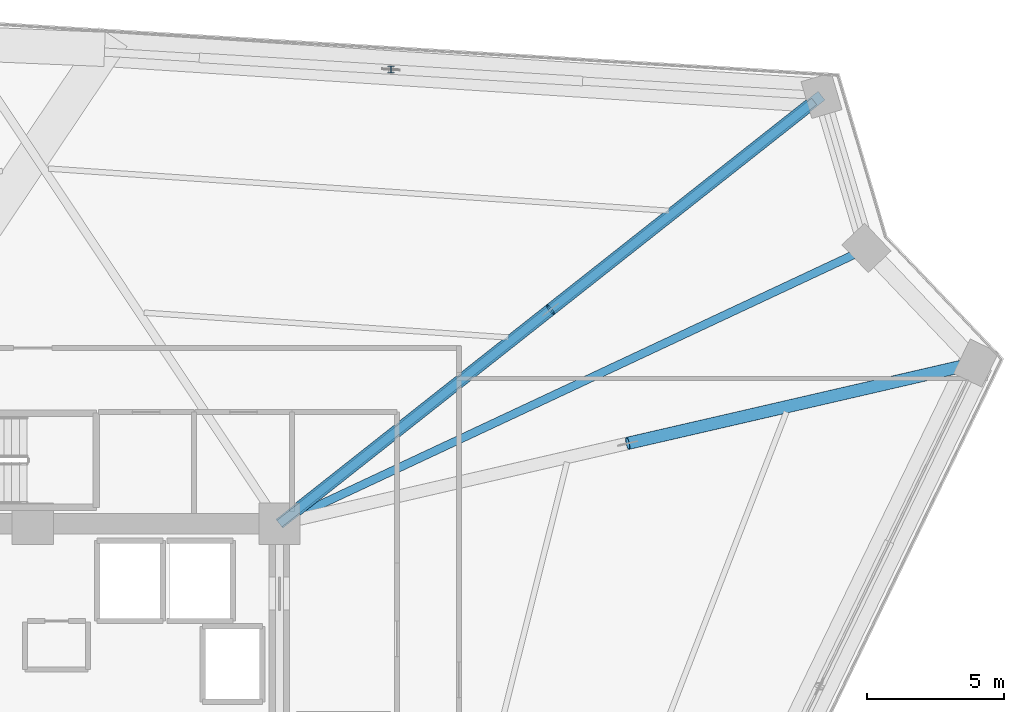
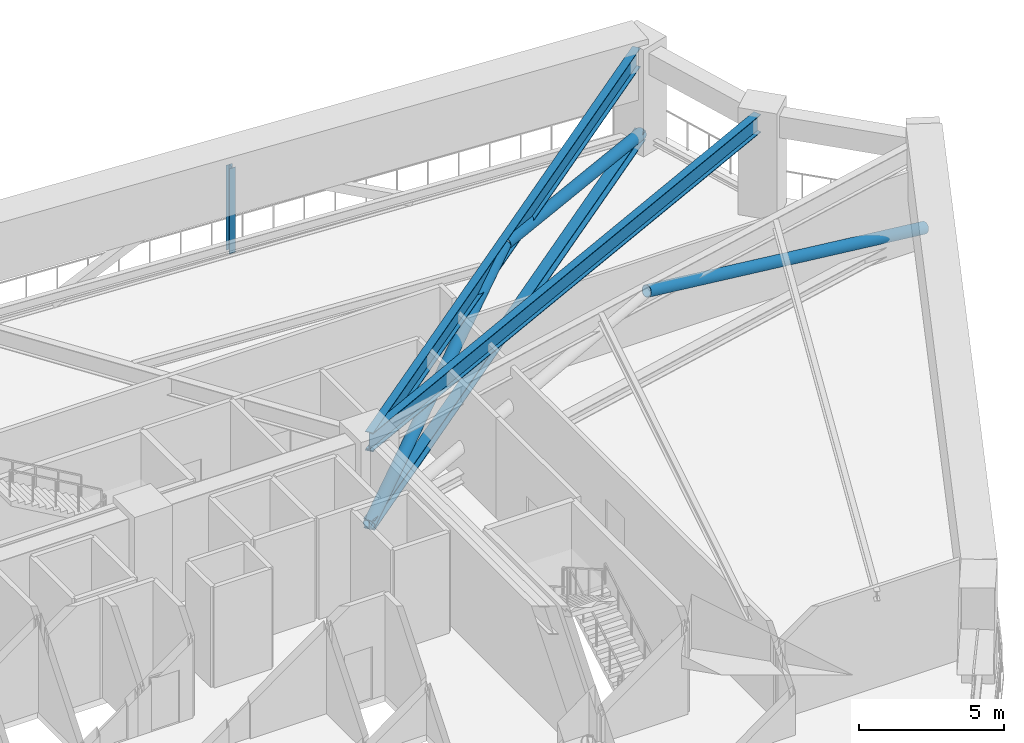
# One storey, part 11 of 27: 5 members, 2 beams.
"""IFC4 building model written with IfcOpenShell, lengths in metres."""

from ifc_helpers import new_model, si_unit, direction, frame, origin, origin_2d, place, context, subcontext, project, spatial, hollow_circle, i_section, extrude, source, transform, mapped, material, material_profile, profile_set, type_object, element, save


model = new_model("IFC4")

# Units and contexts
model_context = context("Model", 3, precision=1e-05, world=origin(), true_north=direction((0.0, 1.0)))
body_context = subcontext(model_context, "Body", "Model", "MODEL_VIEW")
ifc_project = project(units=[si_unit("LENGTHUNIT", "METRE"), si_unit("AREAUNIT", "SQUARE_METRE"), si_unit("VOLUMEUNIT", "CUBIC_METRE"), si_unit("PLANEANGLEUNIT", "RADIAN"), si_unit("MASSUNIT", "GRAM", prefix="KILO")], contexts=[model_context])

# Site, building, storey
site_placement = place(None, origin())
site = spatial("IfcSite", under=ifc_project, at=site_placement, CompositionType="ELEMENT")
building_placement = place(site_placement, origin())
building = spatial("IfcBuilding", under=site, at=building_placement, Name="Liaohun Quay Tower", CompositionType="ELEMENT")
storey_placement = place(building_placement, frame((0.0, 0.0, 185.25)))
storey = spatial("IfcBuildingStorey", under=building, at=storey_placement, Name="L48", CompositionType="ELEMENT", Elevation=185.25)

# Member
ifc_material_1 = material(Name="Steel Q355D", Category="steel")
ifc_material_profile_1 = material_profile(ifc_material_1, i_section(OverallWidth=0.25, OverallDepth=0.25, WebThickness=0.009033203125, FlangeThickness=0.013916015625, at=origin_2d()), Name="HW250x250x9x14")
ifc_profile_set_1 = profile_set([ifc_material_profile_1], Name="Steel Q355D")
member_type_1 = type_object("IfcMemberType", Name="MEM-BLT-PST", PredefinedType="POST", material=ifc_profile_set_1)
shared_shape_1 = source(origin(), body_context, "Body", "SweptSolid", [
    extrude(i_section(OverallWidth=0.25, OverallDepth=0.25, WebThickness=0.009033203125, FlangeThickness=0.013916015625, at=origin_2d()), origin(), (0.0, 0.0, 1.0), 3.56982421875),
])
member_1_placement = place(storey_placement, frame((73.072021484375, 78.077880859375, 0.35009765625), z_axis=(0.0, 0.0, 1.0), x_axis=(1.0, 0.0, 0.0)))
element("IfcMember", 1, at=member_1_placement, inside=storey, type_object=member_type_1, Name="L48 Belt Truss Vertical Post BP-1-04", PredefinedType="POST", context=body_context, shape_type="MappedRepresentation", body=[
    mapped(shared_shape_1, transform((0.0, 0.0, 0.0), x_axis=(1.0, 0.0, 0.0), y_axis=(0.0, 1.0, 0.0), z_axis=(0.0, 0.0, 1.0), scale=1.0)),
])

# Beams
ifc_material_profile_2 = material_profile(ifc_material_1, i_section(OverallWidth=0.300048828125, OverallDepth=0.75, WebThickness=0.013916015625, FlangeThickness=0.02587890625, at=origin_2d()), Name="HN750x300x14x26")
ifc_profile_set_2 = profile_set([ifc_material_profile_2], Name="Steel Q355D")
beam_type_1 = type_object("IfcBeamType", Name="BM-RAD-M2", PredefinedType="BEAM", material=ifc_profile_set_2)
shared_shape_2 = source(origin(), body_context, "Body", "SweptSolid", [
    extrude(i_section(OverallWidth=0.300048828125, OverallDepth=0.75, WebThickness=0.013916015625, FlangeThickness=0.02587890625, at=origin_2d()), origin(), (0.0, 0.0, 1.0), 23.347412109375),
])
beam_1_placement = place(storey_placement, frame((69.0, 61.5, 3.844970703125), z_axis=(0.905586236327, 0.424162196071, 0.0), x_axis=(-0.424162196071, 0.905586236327, 0.0)))
element("IfcBeam", 2, at=beam_1_placement, inside=storey, type_object=beam_type_1, Name="L48 Radial Primary Girder CC4-PC08", PredefinedType="BEAM", context=body_context, shape_type="MappedRepresentation", body=[
    mapped(shared_shape_2, transform((0.0, 0.0, 0.0), x_axis=(1.0, 0.0, 0.0), y_axis=(0.0, 1.0, 0.0), z_axis=(0.0, 0.0, 1.0), scale=1.0)),
])
ifc_material_profile_3 = material_profile(ifc_material_1, i_section(OverallWidth=0.300048828125, OverallDepth=0.800048828125, WebThickness=0.013916015625, FlangeThickness=0.02587890625, at=origin_2d()), Name="HN800x300x14x26")
ifc_profile_set_3 = profile_set([ifc_material_profile_3], Name="Steel Q355D")
beam_type_2 = type_object("IfcBeamType", Name="BM-RAD-M1", PredefinedType="BEAM", material=ifc_profile_set_3)
shared_shape_3 = source(origin(), body_context, "Body", "SweptSolid", [
    extrude(i_section(OverallWidth=0.300048828125, OverallDepth=0.800048828125, WebThickness=0.013916015625, FlangeThickness=0.02587890625, at=origin_2d()), origin(), (0.0, 0.0, 1.0), 24.870849609375),
])
beam_2_placement = place(storey_placement, frame((69.0, 61.5, 3.820068359375), z_axis=(0.784817933062, 0.619726400877, 0.0), x_axis=(-0.619726400877, 0.784817933062, 0.0)))
element("IfcBeam", 3, at=beam_2_placement, inside=storey, type_object=beam_type_2, Name="L48 Radial Primary Girder CC4-PC07", PredefinedType="BEAM", context=body_context, shape_type="MappedRepresentation", body=[
    mapped(shared_shape_3, transform((0.0, 0.0, 0.0), x_axis=(1.0, 0.0, 0.0), y_axis=(0.0, 1.0, 0.0), z_axis=(0.0, 0.0, 1.0), scale=1.0)),
])

# Members
ifc_material_2 = material(Name="Steel Q420D", Category="steel")
ifc_material_profile_4 = material_profile(ifc_material_2, i_section(OverallWidth=0.405029296875, OverallDepth=0.4140625, WebThickness=0.01806640625, FlangeThickness=0.028076171875, at=origin_2d()), Name="HW414x405x18x28")
ifc_profile_set_4 = profile_set([ifc_material_profile_4], Name="Steel Q420D")
member_type_2 = type_object("IfcMemberType", Name="MEM-OUT-CHD", PredefinedType="CHORD", material=ifc_profile_set_4)
shared_shape_4 = source(origin(), body_context, "Body", "SweptSolid", [
    extrude(i_section(OverallWidth=0.405029296875, OverallDepth=0.4140625, WebThickness=0.01806640625, FlangeThickness=0.028076171875, at=origin_2d()), origin(), (0.0, 0.0, 1.0), 25.212646484375),
])
member_2_placement = place(storey_placement, frame((69.0, 61.5, 0.35009765625), z_axis=(0.784847071692, 0.6196894981, 0.0), x_axis=(-0.6196894981, 0.784847071692, 0.0)))
element("IfcMember", 4, at=member_2_placement, inside=storey, type_object=member_type_2, Name="L48 Outrigger Bottom Chord OC-04", PredefinedType="CHORD", context=body_context, shape_type="MappedRepresentation", body=[
    mapped(shared_shape_4, transform((0.0, 0.0, 0.0), x_axis=(1.0, 0.0, 0.0), y_axis=(0.0, 1.0, 0.0), z_axis=(0.0, 0.0, 1.0), scale=1.0)),
])
ifc_material_profile_5 = material_profile(ifc_material_2, hollow_circle(Radius=0.228515625, WallThickness=0.02001953125, at=origin_2d()), Name="CHS457x20")
ifc_profile_set_5 = profile_set([ifc_material_profile_5], Name="Steel Q420D")
member_type_3 = type_object("IfcMemberType", Name="MEM-OUT-DG1", PredefinedType="BRACE", material=ifc_profile_set_5)
shared_shape_5 = source(origin(), body_context, "Body", "SweptSolid", [
    extrude(hollow_circle(Radius=0.228515625, WallThickness=0.02001953125, at=origin_2d()), origin(), (0.0, 0.0, 1.0), 13.10205078125),
])
for number, where, z_axis, x_axis, name in (
    (5, (69.0, 61.5, 0.35009765625), (0.755153285678, 0.596244258874, 0.272463390001), (-0.6196894981, 0.784847071692, 0.0), "L48 Outrigger Diagonal OD-04A"),
    (6, (78.89404296875, 69.31201171875, 3.919921875), (0.755153285678, 0.596244258874, -0.272463390001), (-0.6196894981, 0.784847071692, 0.0), "L48 Outrigger Diagonal OD-04B"),
):
    element("IfcMember", number, at=place(storey_placement, frame(where, z_axis=z_axis, x_axis=x_axis)), inside=storey, type_object=member_type_3, Name=name, PredefinedType="BRACE", context=body_context, shape_type="MappedRepresentation", body=[
        mapped(shared_shape_5, transform((0.0, 0.0, 0.0), x_axis=(1.0, 0.0, 0.0), y_axis=(0.0, 1.0, 0.0), z_axis=(0.0, 0.0, 1.0), scale=1.0)),
    ])
shared_shape_6 = source(origin(), body_context, "Body", "SweptSolid", [
    extrude(hollow_circle(Radius=0.228515625, WallThickness=0.02001953125, at=origin_2d()), origin(), (0.0, 0.0, 1.0), 13.525390625),
])
member_3_placement = place(storey_placement, frame((81.712890625, 64.43310546875, 3.919921875), z_axis=(0.939867563591, 0.216767550196, -0.263933309932), x_axis=(-0.224736497115, 0.974419574344, 0.0)))
element("IfcMember", 7, at=member_3_placement, inside=storey, type_object=member_type_3, Name="L48 Outrigger Diagonal OD-05B", PredefinedType="BRACE", context=body_context, shape_type="MappedRepresentation", body=[
    mapped(shared_shape_6, transform((0.0, 0.0, 0.0), x_axis=(1.0, 0.0, 0.0), y_axis=(0.0, 1.0, 0.0), z_axis=(0.0, 0.0, 1.0), scale=1.0)),
])

save(model, "model.ifc")
